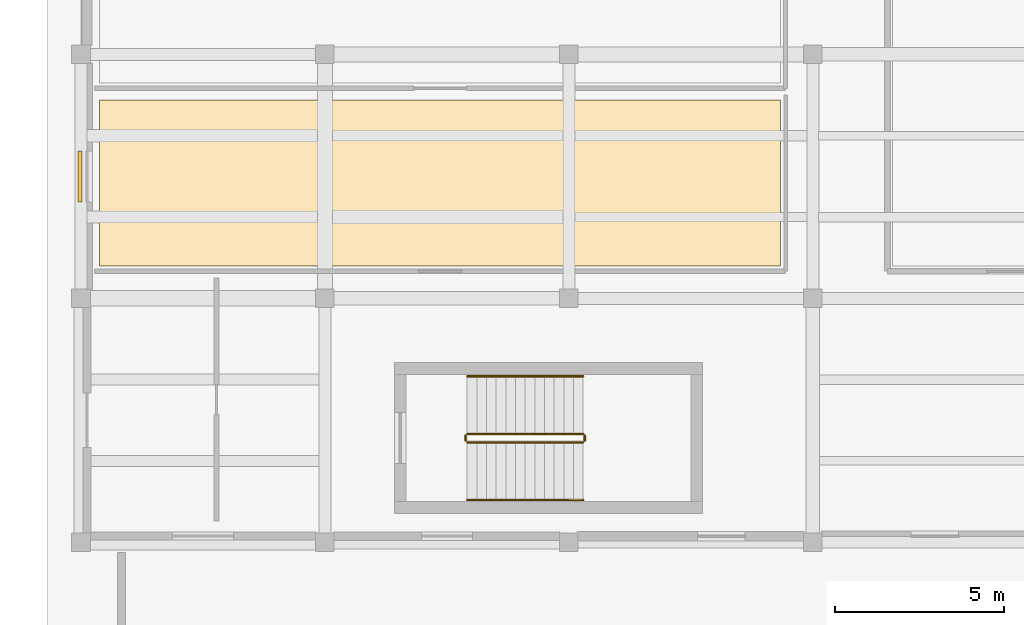
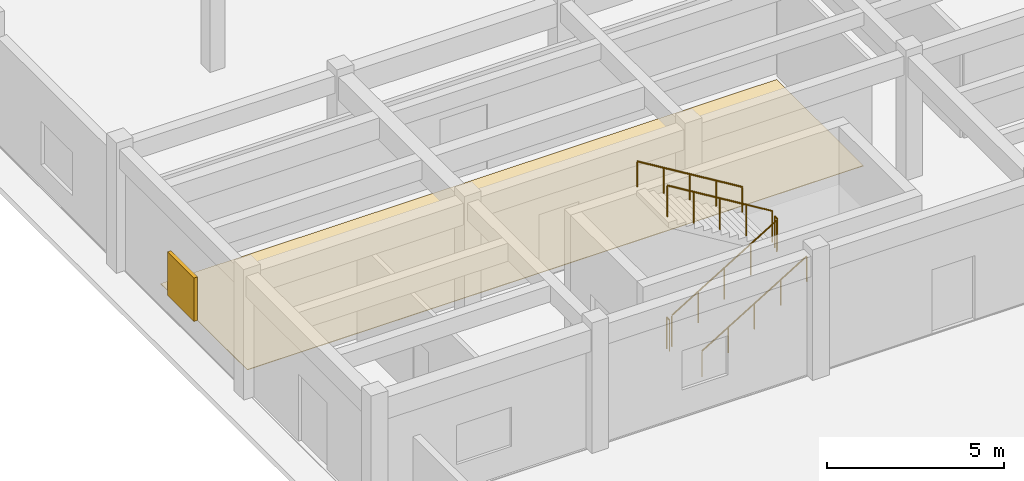
# One storey, part 52 of 58: 6 railings, 1 covering, 1 shading device.
"""IFC4 building model written with IfcOpenShell, lengths in metres."""

from ifc_helpers import new_model, si_unit, direction, frame, origin, origin_2d, place, context, subcontext, project, spatial, polyline, rectangle, circle, outline, extrude, material, layer, layer_set, type_object, element, save


model = new_model("IFC4")

# Units and contexts
model_context = context("Model", 3, precision=1e-05, world=origin(), true_north=direction((0.0, 1.0)))
body_context = subcontext(model_context, "Body", "Model", "MODEL_VIEW")
ifc_project = project(units=[si_unit("LENGTHUNIT", "METRE"), si_unit("AREAUNIT", "SQUARE_METRE"), si_unit("VOLUMEUNIT", "CUBIC_METRE"), si_unit("PLANEANGLEUNIT", "RADIAN"), si_unit("MASSUNIT", "GRAM", prefix="KILO")], contexts=[model_context])

# Site, building, storey
site_placement = place(None, origin())
site = spatial("IfcSite", under=ifc_project, at=site_placement, CompositionType="ELEMENT")
building_placement = place(site_placement, origin())
building = spatial("IfcBuilding", under=site, at=building_placement, Name="Brisavento Harbour Community Centre", CompositionType="ELEMENT")
storey_placement = place(building_placement, origin())
storey = spatial("IfcBuildingStorey", under=building, at=storey_placement, Name="L00", CompositionType="ELEMENT", Elevation=0.0)

# Covering
ifc_material_1 = material(Name="Polished marine terrazzo tile", Category="other")
ifc_layer_1 = layer(ifc_material_1, 0.02001953125, Name="Polished marine terrazzo tile")
ifc_layer_set_1 = layer_set([ifc_layer_1], Name="Polished marine terrazzo tile")
covering_type = type_object("IfcCoveringType", Name="COV-FLR-TRZ", PredefinedType="FLOORING", material=ifc_layer_set_1)
covering_placement = place(storey_placement, origin())
element("IfcCovering", 1, at=covering_placement, inside=storey, type_object=covering_type, Name="L00 Courtyard Servery Veranda terrazzo flooring", PredefinedType="FLOORING", context=body_context, shape_type="SweptSolid", body=[
    extrude(outline(polyline([(20.64990234375, 80.14990234375), (20.64990234375, 85.050048828125), (0.550048828125, 85.050048828125), (0.550048828125, 80.14990234375), (20.64990234375, 80.14990234375)])), origin(), (0.0, 0.0, 1.0), 0.02001953125),
])

# Railings
ifc_material_2 = material(Name="Stainless steel 1.4401", Category="steel")
railing_type_1 = type_object("IfcRailingType", Name="RL-ST-GUARD", PredefinedType="GUARDRAIL", material=ifc_material_2)
railing_1_placement = place(storey_placement, frame((11.39990234375, 74.949951171875, 0.173095703125)))
element("IfcRailing", 2, at=railing_1_placement, inside=storey, type_object=railing_type_1, Name="L00 ST-07 stair guard 1", PredefinedType="GUARDRAIL", context=body_context, shape_type="SweptSolid", body=[
    extrude(circle(Radius=0.02392578125, at=origin_2d()), frame((0.0, 0.0, 1.076171875), z_axis=(0.854745945586, 0.0, 0.519046595696), x_axis=(0.0, 1.0, 0.0)), (0.0, 0.0, 1.0), 4.00146484375),
    extrude(circle(Radius=0.02099609375, at=origin_2d()), origin(), (0.0, 0.0, 1.0), 1.052001953125),
    extrude(circle(Radius=0.02099609375, at=origin_2d()), frame((0.85498046875, 0.0, 0.519287109375)), (0.0, 0.0, 1.0), 1.052001953125),
    extrude(circle(Radius=0.02099609375, at=origin_2d()), frame((1.7099609375, 0.0, 1.03857421875)), (0.0, 0.0, 1.0), 1.052001953125),
    extrude(circle(Radius=0.02099609375, at=origin_2d()), frame((2.565185546875, 0.0, 1.5576171875)), (0.0, 0.0, 1.0), 1.052001953125),
    extrude(circle(Radius=0.02099609375, at=origin_2d()), frame((3.420166015625, 0.0, 2.076904296875)), (0.0, 0.0, 1.0), 1.052001953125),
])
railing_2_placement = place(storey_placement, frame((14.8701171875, 75.0, 2.25)))
element("IfcRailing", 3, at=railing_2_placement, inside=storey, type_object=railing_type_1, Name="L00 ST-07 stair guard 2", PredefinedType="GUARDRAIL", context=body_context, shape_type="SweptSolid", body=[
    extrude(circle(Radius=0.02392578125, at=origin_2d()), frame((0.0, 0.0, 1.076171875), z_axis=(0.0, 1.0, 0.0), x_axis=(-1.0, 0.0, 0.0)), (0.0, 0.0, 1.0), 0.14990234375),
    extrude(circle(Radius=0.02099609375, at=origin_2d()), origin(), (0.0, 0.0, 1.0), 1.052001953125),
    extrude(circle(Radius=0.02099609375, at=origin_2d()), frame((0.0, 0.14990234375, 0.0)), (0.0, 0.0, 1.0), 1.052001953125),
])
railing_3_placement = place(storey_placement, frame((14.820068359375, 75.199951171875, 2.423095703125)))
element("IfcRailing", 4, at=railing_3_placement, inside=storey, type_object=railing_type_1, Name="L00 ST-07 stair guard 3", PredefinedType="GUARDRAIL", context=body_context, shape_type="SweptSolid", body=[
    extrude(circle(Radius=0.02392578125, at=origin_2d()), frame((0.0, 0.0, 1.076171875), z_axis=(-0.854745945586, 0.0, 0.519046595696), x_axis=(0.0, -1.0, 0.0)), (0.0, 0.0, 1.0), 4.00146484375),
    extrude(circle(Radius=0.02099609375, at=origin_2d()), origin(), (0.0, 0.0, 1.0), 1.052001953125),
    extrude(circle(Radius=0.02099609375, at=origin_2d()), frame((-0.85498046875, 0.0, 0.519287109375)), (0.0, 0.0, 1.0), 1.052001953125),
    extrude(circle(Radius=0.02099609375, at=origin_2d()), frame((-1.7099609375, 0.0, 1.03857421875)), (0.0, 0.0, 1.0), 1.052001953125),
    extrude(circle(Radius=0.02099609375, at=origin_2d()), frame((-2.565185546875, 0.0, 1.5576171875)), (0.0, 0.0, 1.0), 1.052001953125),
    extrude(circle(Radius=0.02099609375, at=origin_2d()), frame((-3.420166015625, 0.0, 2.076904296875)), (0.0, 0.0, 1.0), 1.052001953125),
])
railing_4_placement = place(storey_placement, frame((11.35009765625, 75.0, 0.0)))
element("IfcRailing", 5, at=railing_4_placement, inside=storey, type_object=railing_type_1, Name="L00 ST-07 stair guard 4", PredefinedType="GUARDRAIL", context=body_context, shape_type="SweptSolid", body=[
    extrude(circle(Radius=0.02392578125, at=origin_2d()), frame((0.0, 0.0, 1.076171875), z_axis=(0.0, 1.0, 0.0), x_axis=(-1.0, 0.0, 0.0)), (0.0, 0.0, 1.0), 0.14990234375),
    extrude(circle(Radius=0.02099609375, at=origin_2d()), origin(), (0.0, 0.0, 1.0), 1.052001953125),
    extrude(circle(Radius=0.02099609375, at=origin_2d()), frame((0.0, 0.14990234375, 0.0)), (0.0, 0.0, 1.0), 1.052001953125),
])
railing_type_2 = type_object("IfcRailingType", Name="RL-ST-HAND", PredefinedType="HANDRAIL", material=ifc_material_2)
railing_5_placement = place(storey_placement, frame((11.39990234375, 73.25, 0.173095703125)))
element("IfcRailing", 6, at=railing_5_placement, inside=storey, type_object=railing_type_2, Name="L00 ST-07 stair handrail 1", PredefinedType="HANDRAIL", context=body_context, shape_type="SweptSolid", body=[
    extrude(circle(Radius=0.02392578125, at=origin_2d()), frame((0.0, 0.0, 0.8759765625), z_axis=(0.854745945586, 0.0, 0.519046595696), x_axis=(0.0, 1.0, 0.0)), (0.0, 0.0, 1.0), 4.00146484375),
    extrude(circle(Radius=0.02099609375, at=origin_2d()), origin(), (0.0, 0.0, 1.0), 0.851806640625),
    extrude(circle(Radius=0.02099609375, at=origin_2d()), frame((0.85498046875, 0.0, 0.519287109375)), (0.0, 0.0, 1.0), 0.851806640625),
    extrude(circle(Radius=0.02099609375, at=origin_2d()), frame((1.7099609375, 0.0, 1.03857421875)), (0.0, 0.0, 1.0), 0.851806640625),
    extrude(circle(Radius=0.02099609375, at=origin_2d()), frame((2.565185546875, 0.0, 1.5576171875)), (0.0, 0.0, 1.0), 0.851806640625),
    extrude(circle(Radius=0.02099609375, at=origin_2d()), frame((3.420166015625, 0.0, 2.076904296875)), (0.0, 0.0, 1.0), 0.851806640625),
])
railing_6_placement = place(storey_placement, frame((14.820068359375, 76.89990234375, 2.423095703125)))
element("IfcRailing", 7, at=railing_6_placement, inside=storey, type_object=railing_type_2, Name="L00 ST-07 stair handrail 2", PredefinedType="HANDRAIL", context=body_context, shape_type="SweptSolid", body=[
    extrude(circle(Radius=0.02392578125, at=origin_2d()), frame((0.0, 0.0, 0.8759765625), z_axis=(-0.854745945586, 0.0, 0.519046595696), x_axis=(0.0, -1.0, 0.0)), (0.0, 0.0, 1.0), 4.00146484375),
    extrude(circle(Radius=0.02099609375, at=origin_2d()), origin(), (0.0, 0.0, 1.0), 0.851806640625),
    extrude(circle(Radius=0.02099609375, at=origin_2d()), frame((-0.85498046875, 0.0, 0.519287109375)), (0.0, 0.0, 1.0), 0.851806640625),
    extrude(circle(Radius=0.02099609375, at=origin_2d()), frame((-1.7099609375, 0.0, 1.03857421875)), (0.0, 0.0, 1.0), 0.851806640625),
    extrude(circle(Radius=0.02099609375, at=origin_2d()), frame((-2.565185546875, 0.0, 1.5576171875)), (0.0, 0.0, 1.0), 0.851806640625),
    extrude(circle(Radius=0.02099609375, at=origin_2d()), frame((-3.420166015625, 0.0, 2.076904296875)), (0.0, 0.0, 1.0), 0.851806640625),
])

# Shading device
ifc_material_3 = material(Name="Marine-anodised aluminium AW-6063-T6", Category="aluminium")
ifc_layer_2 = layer(ifc_material_3, 0.1201171875, Name="Marine-anodised aluminium AW-6063-T6")
ifc_layer_set_2 = layer_set([ifc_layer_2], Name="Marine-anodised aluminium AW-6063-T6")
shading_device_type = type_object("IfcShadingDeviceType", Name="SHD-LOUVRE", PredefinedType="JALOUSIE", material=ifc_layer_set_2)
shading_device_placement = place(storey_placement, frame((-0.034912109375, 82.800048828125, 0.75), z_axis=(0.0, 0.0, 1.0), x_axis=(0.0, 1.0, 0.0)))
element("IfcShadingDevice", 8, at=shading_device_placement, inside=storey, type_object=shading_device_type, Name="L00 hurricane storm louvre 10", PredefinedType="JALOUSIE", context=body_context, shape_type="SweptSolid", body=[
    extrude(rectangle(XDim=1.5, YDim=0.1201171875, at=origin_2d()), origin(), (0.0, 0.0, 1.0), 1.5),
])

save(model, "model.ifc")
